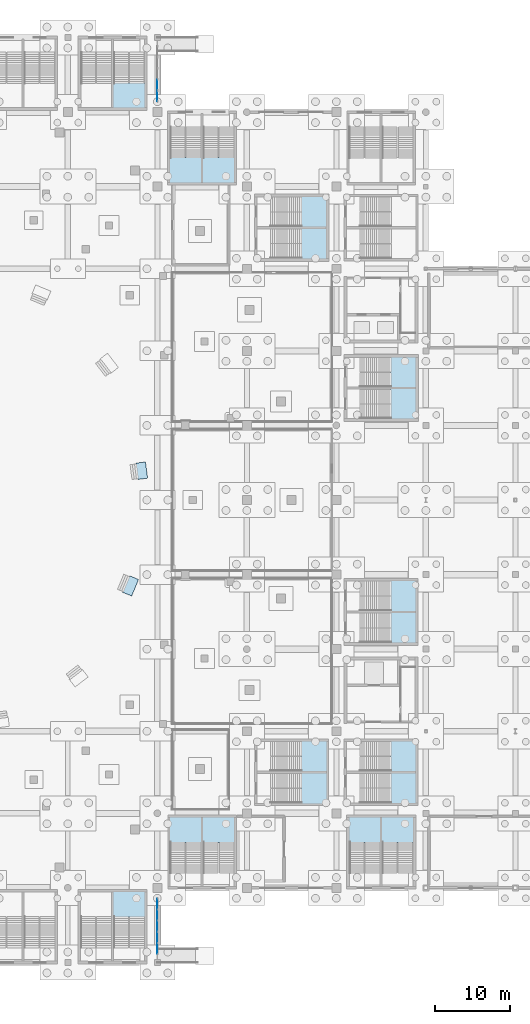
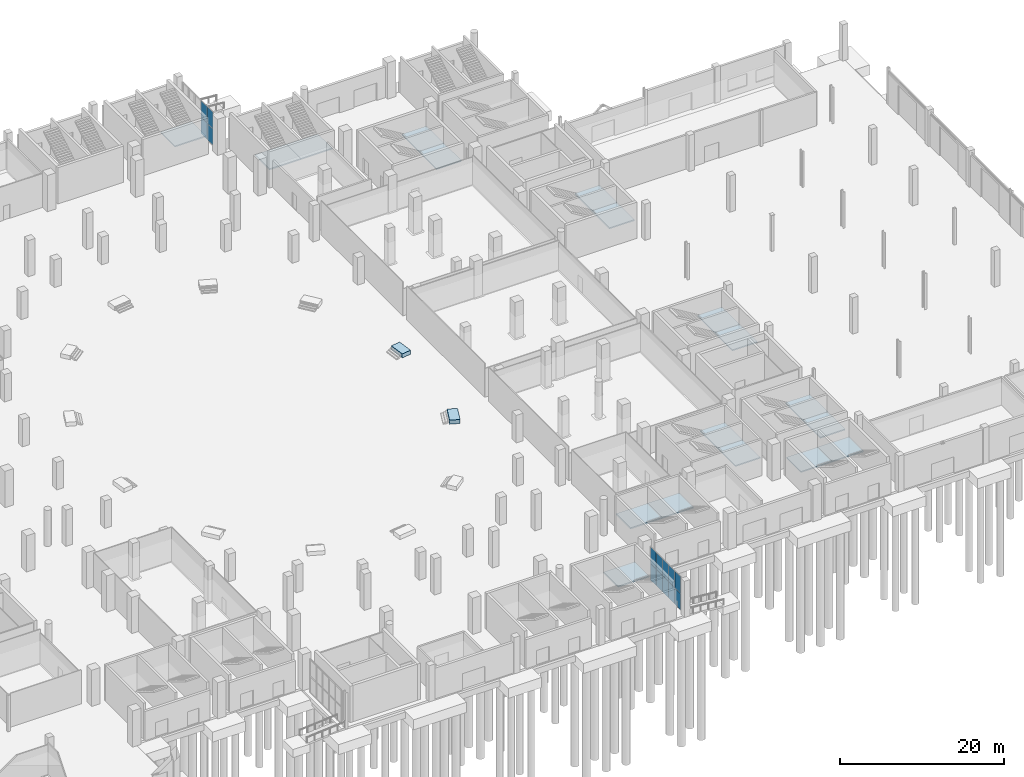
# One storey, part 44 of 70: 20 slabs, 14 plates, 20 elements without a shape of their own.
"""IFC4 building model written with IfcOpenShell, lengths in metres."""

from ifc_helpers import new_model, si_unit, direction, frame, origin, origin_2d, place, context, subcontext, project, spatial, polyline, rectangle, outline, extrude, material, layer, layer_set, type_object, element, aggregate, save


model = new_model("IFC4")

# Units and contexts
model_context = context("Model", 3, precision=1e-05, world=origin(), true_north=direction((0.0, 1.0)))
body_context = subcontext(model_context, "Body", "Model", "MODEL_VIEW")
ifc_project = project(units=[si_unit("LENGTHUNIT", "METRE"), si_unit("AREAUNIT", "SQUARE_METRE"), si_unit("VOLUMEUNIT", "CUBIC_METRE"), si_unit("PLANEANGLEUNIT", "RADIAN"), si_unit("MASSUNIT", "GRAM", prefix="KILO")], contexts=[model_context])

# Site, building, storey
site_placement = place(None, origin())
site = spatial("IfcSite", under=ifc_project, at=site_placement, CompositionType="ELEMENT")
building_placement = place(site_placement, origin())
building = spatial("IfcBuilding", under=site, at=building_placement, Name="Brinegate Civic Arena", CompositionType="ELEMENT")
storey_placement = place(building_placement, origin())
storey = spatial("IfcBuildingStorey", under=building, at=storey_placement, Name="L00", CompositionType="ELEMENT", Elevation=0.0)

# Curtain wall, plates
ifc_material_1 = material(Name="Marine grade aluminium", Category="aluminium")
ifc_layer_1 = layer(ifc_material_1, 0.25, Name="Marine grade aluminium")
ifc_layer_set_1 = layer_set([ifc_layer_1], Name="Marine grade aluminium")
curtain_wall_type = type_object("IfcCurtainWallType", Name="CW-PORTAL-SOUTH-02", PredefinedType="USERDEFINED", material=ifc_layer_set_1)
curtain_wall_1_placement = place(storey_placement, origin())
curtain_wall_1 = element("IfcCurtainWall", 1, at=curtain_wall_1_placement, inside=storey, type_object=curtain_wall_type, Name="Curtain Wall CWA-009", ObjectType="PORTAL CURTAIN WALL", PredefinedType="USERDEFINED")
ifc_material_2 = material(Name="Hurricane laminated low-E glass", Category="glass")
ifc_layer_2 = layer(ifc_material_2, 0.031982421875, Name="Hurricane laminated low-E glass")
ifc_layer_set_2 = layer_set([ifc_layer_2], Name="Hurricane laminated low-E glass")
plate_type_1 = type_object("IfcPlateType", Name="CW-PANEL-GLAZED-32", PredefinedType="CURTAIN_PANEL", material=ifc_layer_set_2)
plate_1_placement = place(storey_placement, frame((132.0, 1.880859375, 0.06494140625), z_axis=(0.0, 0.0, 1.0), x_axis=(0.0, 1.0, 0.0)))
plate_1 = element("IfcPlate", 2, at=plate_1_placement, type_object=plate_type_1, Name="CWA-009 panel 1.1", PredefinedType="CURTAIN_PANEL", context=body_context, shape_type="SweptSolid", body=[
    extrude(rectangle(XDim=1.3994140625, YDim=0.031982421875, at=origin_2d()), origin(), (0.0, 0.0, 1.0), 2.4326171875),
])
plate_2_placement = place(storey_placement, frame((132.0, 1.880859375, 2.5625), z_axis=(0.0, 0.0, 1.0), x_axis=(0.0, 1.0, 0.0)))
plate_2 = element("IfcPlate", 3, at=plate_2_placement, type_object=plate_type_1, Name="CWA-009 panel 1.2", PredefinedType="CURTAIN_PANEL", context=body_context, shape_type="SweptSolid", body=[
    extrude(rectangle(XDim=1.3994140625, YDim=0.031982421875, at=origin_2d()), origin(), (0.0, 0.0, 1.0), 2.4326171875),
])
plate_3_placement = place(storey_placement, frame((132.0, 3.361572265625, 0.06494140625), z_axis=(0.0, 0.0, 1.0), x_axis=(0.0, 1.0, 0.0)))
plate_3 = element("IfcPlate", 4, at=plate_3_placement, type_object=plate_type_1, Name="CWA-009 panel 2.1", PredefinedType="CURTAIN_PANEL", context=body_context, shape_type="SweptSolid", body=[
    extrude(rectangle(XDim=1.431884765625, YDim=0.031982421875, at=origin_2d()), origin(), (0.0, 0.0, 1.0), 2.4326171875),
])
plate_4_placement = place(storey_placement, frame((132.0, 3.361572265625, 2.5625), z_axis=(0.0, 0.0, 1.0), x_axis=(0.0, 1.0, 0.0)))
plate_4 = element("IfcPlate", 5, at=plate_4_placement, type_object=plate_type_1, Name="CWA-009 panel 2.2", PredefinedType="CURTAIN_PANEL", context=body_context, shape_type="SweptSolid", body=[
    extrude(rectangle(XDim=1.431884765625, YDim=0.031982421875, at=origin_2d()), origin(), (0.0, 0.0, 1.0), 2.4326171875),
])
plate_5_placement = place(storey_placement, frame((132.0, 4.8583984375, 0.06494140625), z_axis=(0.0, 0.0, 1.0), x_axis=(0.0, 1.0, 0.0)))
plate_5 = element("IfcPlate", 6, at=plate_5_placement, type_object=plate_type_1, Name="CWA-009 panel 3.1", PredefinedType="CURTAIN_PANEL", context=body_context, shape_type="SweptSolid", body=[
    extrude(rectangle(XDim=1.431884765625, YDim=0.031982421875, at=origin_2d()), origin(), (0.0, 0.0, 1.0), 2.4326171875),
])
plate_6_placement = place(storey_placement, frame((132.0, 4.8583984375, 2.5625), z_axis=(0.0, 0.0, 1.0), x_axis=(0.0, 1.0, 0.0)))
plate_6 = element("IfcPlate", 7, at=plate_6_placement, type_object=plate_type_1, Name="CWA-009 panel 3.2", PredefinedType="CURTAIN_PANEL", context=body_context, shape_type="SweptSolid", body=[
    extrude(rectangle(XDim=1.431884765625, YDim=0.031982421875, at=origin_2d()), origin(), (0.0, 0.0, 1.0), 2.4326171875),
])
plate_7_placement = place(storey_placement, frame((132.0, 6.35546875, 0.06494140625), z_axis=(0.0, 0.0, 1.0), x_axis=(0.0, 1.0, 0.0)))
plate_7 = element("IfcPlate", 8, at=plate_7_placement, type_object=plate_type_1, Name="CWA-009 panel 4.1", PredefinedType="CURTAIN_PANEL", context=body_context, shape_type="SweptSolid", body=[
    extrude(rectangle(XDim=1.431884765625, YDim=0.031982421875, at=origin_2d()), origin(), (0.0, 0.0, 1.0), 2.4326171875),
])
plate_8_placement = place(storey_placement, frame((132.0, 6.35546875, 2.5625), z_axis=(0.0, 0.0, 1.0), x_axis=(0.0, 1.0, 0.0)))
plate_8 = element("IfcPlate", 9, at=plate_8_placement, type_object=plate_type_1, Name="CWA-009 panel 4.2", PredefinedType="CURTAIN_PANEL", context=body_context, shape_type="SweptSolid", body=[
    extrude(rectangle(XDim=1.431884765625, YDim=0.031982421875, at=origin_2d()), origin(), (0.0, 0.0, 1.0), 2.4326171875),
])
plate_9_placement = place(storey_placement, frame((132.0, 7.836181640625, 0.06494140625), z_axis=(0.0, 0.0, 1.0), x_axis=(0.0, 1.0, 0.0)))
plate_9 = element("IfcPlate", 10, at=plate_9_placement, type_object=plate_type_1, Name="CWA-009 panel 5.1", PredefinedType="CURTAIN_PANEL", context=body_context, shape_type="SweptSolid", body=[
    extrude(rectangle(XDim=1.3994140625, YDim=0.031982421875, at=origin_2d()), origin(), (0.0, 0.0, 1.0), 2.4326171875),
])
plate_10_placement = place(storey_placement, frame((132.0, 7.836181640625, 2.5625), z_axis=(0.0, 0.0, 1.0), x_axis=(0.0, 1.0, 0.0)))
plate_10 = element("IfcPlate", 11, at=plate_10_placement, type_object=plate_type_1, Name="CWA-009 panel 5.2", PredefinedType="CURTAIN_PANEL", context=body_context, shape_type="SweptSolid", body=[
    extrude(rectangle(XDim=1.3994140625, YDim=0.031982421875, at=origin_2d()), origin(), (0.0, 0.0, 1.0), 2.4326171875),
])
aggregate(curtain_wall_1, [plate_1, plate_2, plate_3, plate_4, plate_5, plate_6, plate_7, plate_8, plate_9, plate_10])

curtain_wall_2_placement = place(storey_placement, origin())
curtain_wall_2 = element("IfcCurtainWall", 12, at=curtain_wall_2_placement, inside=storey, type_object=curtain_wall_type, Name="Curtain Wall CWA-011", ObjectType="PORTAL CURTAIN WALL", PredefinedType="USERDEFINED")
ifc_layer_3 = layer(ifc_material_2, 0.0419921875, Name="Hurricane laminated low-E glass")
ifc_layer_set_3 = layer_set([ifc_layer_3], Name="Hurricane laminated low-E glass")
plate_type_2 = type_object("IfcPlateType", Name="CW-PANEL-SPANDREL-42", PredefinedType="CURTAIN_PANEL", material=ifc_layer_set_3)
plate_11_placement = place(storey_placement, frame((132.0, 116.16748046875, 0.074951171875), z_axis=(0.0, 0.0, 1.0), x_axis=(0.0, 1.0, 0.0)))
plate_11 = element("IfcPlate", 13, at=plate_11_placement, type_object=plate_type_2, Name="CWA-011 panel 1.1", PredefinedType="CURTAIN_PANEL", context=body_context, shape_type="SweptSolid", body=[
    extrude(rectangle(XDim=1.376953125, YDim=0.0419921875, at=origin_2d()), origin(), (0.0, 0.0, 1.0), 2.41748046875),
])
plate_12_placement = place(storey_placement, frame((132.0, 116.16748046875, 2.567626953125), z_axis=(0.0, 0.0, 1.0), x_axis=(0.0, 1.0, 0.0)))
plate_12 = element("IfcPlate", 14, at=plate_12_placement, type_object=plate_type_2, Name="CWA-011 panel 1.2", PredefinedType="CURTAIN_PANEL", context=body_context, shape_type="SweptSolid", body=[
    extrude(rectangle(XDim=1.376953125, YDim=0.0419921875, at=origin_2d()), origin(), (0.0, 0.0, 1.0), 2.41748046875),
])
plate_13_placement = place(storey_placement, frame((132.0, 117.64453125, 0.074951171875), z_axis=(0.0, 0.0, 1.0), x_axis=(0.0, 1.0, 0.0)))
plate_13 = element("IfcPlate", 15, at=plate_13_placement, type_object=plate_type_2, Name="CWA-011 panel 2.1", PredefinedType="CURTAIN_PANEL", context=body_context, shape_type="SweptSolid", body=[
    extrude(rectangle(XDim=1.4169921875, YDim=0.0419921875, at=origin_2d()), origin(), (0.0, 0.0, 1.0), 2.41748046875),
])
plate_14_placement = place(storey_placement, frame((132.0, 117.64453125, 2.567626953125), z_axis=(0.0, 0.0, 1.0), x_axis=(0.0, 1.0, 0.0)))
plate_14 = element("IfcPlate", 16, at=plate_14_placement, type_object=plate_type_2, Name="CWA-011 panel 2.2", PredefinedType="CURTAIN_PANEL", context=body_context, shape_type="SweptSolid", body=[
    extrude(rectangle(XDim=1.4169921875, YDim=0.0419921875, at=origin_2d()), origin(), (0.0, 0.0, 1.0), 2.41748046875),
])
aggregate(curtain_wall_2, [plate_11, plate_12, plate_13, plate_14])

# Stair, slab
ifc_material_3 = material(Name="Concrete C40/50", Category="concrete")
stair_type_1 = type_object("IfcStairType", Name="STAIR-EXIT-3700", PredefinedType="HALF_TURN_STAIR", material=ifc_material_3)
stair_1_placement = place(storey_placement, origin())
stair_1 = element("IfcStair", 17, at=stair_1_placement, inside=storey, type_object=stair_type_1, Name="Protected Exit Stair ST-03B (L00)", PredefinedType="HALF_TURN_STAIR")
ifc_layer_4 = layer(ifc_material_3, 0.179931640625, Name="Concrete C40/50")
ifc_layer_set_4 = layer_set([ifc_layer_4], Name="Concrete C40/50")
slab_type_1 = type_object("IfcSlabType", Name="SLAB-LANDING-180", PredefinedType="LANDING", material=ifc_layer_set_4)
slab_1_placement = place(storey_placement, frame((0.0, 0.0, 2.52001953125)))
slab_1 = element("IfcSlab", 18, at=slab_1_placement, type_object=slab_type_1, Name="ST-03B landing 1", PredefinedType="LANDING", context=body_context, shape_type="SweptSolid", body=[
    extrude(outline(polyline([(125.9951171875, 114.39990234375), (130.405029296875, 114.39990234375), (130.405029296875, 117.909912109375), (125.9951171875, 117.909912109375), (125.9951171875, 114.39990234375)])), origin(), (0.0, 0.0, 1.0), 0.179931640625),
])
aggregate(stair_1, [slab_1])

stair_2_placement = place(storey_placement, origin())
stair_2 = element("IfcStair", 19, at=stair_2_placement, inside=storey, type_object=stair_type_1, Name="Protected Exit Stair ST-04B (L00)", PredefinedType="HALF_TURN_STAIR")
slab_2_placement = place(storey_placement, frame((0.0, 0.0, 2.52001953125)))
slab_2 = element("IfcSlab", 20, at=slab_2_placement, type_object=slab_type_1, Name="ST-04B landing 1", PredefinedType="LANDING", context=body_context, shape_type="SweptSolid", body=[
    extrude(outline(polyline([(125.9951171875, 6.090087890625), (130.425048828125, 6.090087890625), (130.425048828125, 9.60009765625), (125.9951171875, 9.60009765625), (125.9951171875, 6.090087890625)])), origin(), (0.0, 0.0, 1.0), 0.179931640625),
])
aggregate(stair_2, [slab_2])

stair_type_2 = type_object("IfcStairType", Name="STAIR-EXIT-3850", PredefinedType="HALF_TURN_STAIR", material=ifc_material_3)
stair_3_placement = place(storey_placement, origin())
stair_3 = element("IfcStair", 21, at=stair_3_placement, inside=storey, type_object=stair_type_2, Name="Protected Exit Stair ST-06A (L00)", PredefinedType="HALF_TURN_STAIR")
slab_3_placement = place(storey_placement, frame((0.0, 0.0, 2.52001953125)))
slab_3 = element("IfcSlab", 22, at=slab_3_placement, type_object=slab_type_1, Name="ST-06A landing 1", PredefinedType="LANDING", context=body_context, shape_type="SweptSolid", body=[
    extrude(outline(polyline([(157.594970703125, 16.090087890625), (162.0048828125, 16.090087890625), (162.0048828125, 19.60009765625), (157.594970703125, 19.60009765625), (157.594970703125, 16.090087890625)])), origin(), (0.0, 0.0, 1.0), 0.179931640625),
])
aggregate(stair_3, [slab_3])

stair_4_placement = place(storey_placement, origin())
stair_4 = element("IfcStair", 23, at=stair_4_placement, inside=storey, type_object=stair_type_1, Name="Protected Exit Stair ST-06B (L00)", PredefinedType="HALF_TURN_STAIR")
slab_4_placement = place(storey_placement, frame((0.0, 0.0, 2.52001953125)))
slab_4 = element("IfcSlab", 24, at=slab_4_placement, type_object=slab_type_1, Name="ST-06B landing 1", PredefinedType="LANDING", context=body_context, shape_type="SweptSolid", body=[
    extrude(outline(polyline([(161.9951171875, 16.090087890625), (166.405029296875, 16.090087890625), (166.405029296875, 19.60009765625), (161.9951171875, 19.60009765625), (161.9951171875, 16.090087890625)])), origin(), (0.0, 0.0, 1.0), 0.179931640625),
])
aggregate(stair_4, [slab_4])

stair_5_placement = place(storey_placement, origin())
stair_5 = element("IfcStair", 25, at=stair_5_placement, inside=storey, type_object=stair_type_2, Name="Protected Exit Stair ST-09A (L00)", PredefinedType="HALF_TURN_STAIR")
slab_5_placement = place(storey_placement, frame((0.0, 0.0, 2.52001953125)))
slab_5 = element("IfcSlab", 26, at=slab_5_placement, type_object=slab_type_1, Name="ST-09A landing 1", PredefinedType="LANDING", context=body_context, shape_type="SweptSolid", body=[
    extrude(outline(polyline([(163.2900390625, 72.7451171875), (166.800048828125, 72.7451171875), (166.800048828125, 77.0048828125), (163.2900390625, 77.0048828125), (163.2900390625, 72.7451171875)])), origin(), (0.0, 0.0, 1.0), 0.179931640625),
])
aggregate(stair_5, [slab_5])

stair_6_placement = place(storey_placement, origin())
stair_6 = element("IfcStair", 27, at=stair_6_placement, inside=storey, type_object=stair_type_1, Name="Protected Exit Stair ST-09B (L00)", PredefinedType="HALF_TURN_STAIR")
slab_6_placement = place(storey_placement, frame((0.0, 0.0, 2.52001953125)))
slab_6 = element("IfcSlab", 28, at=slab_6_placement, type_object=slab_type_1, Name="ST-09B landing 1", PredefinedType="LANDING", context=body_context, shape_type="SweptSolid", body=[
    extrude(outline(polyline([(163.2900390625, 76.9951171875), (166.800048828125, 76.9951171875), (166.800048828125, 81.2548828125), (163.2900390625, 81.2548828125), (163.2900390625, 76.9951171875)])), origin(), (0.0, 0.0, 1.0), 0.179931640625),
])
aggregate(stair_6, [slab_6])

stair_7_placement = place(storey_placement, origin())
stair_7 = element("IfcStair", 29, at=stair_7_placement, inside=storey, type_object=stair_type_2, Name="Protected Exit Stair ST-10A (L00)", PredefinedType="HALF_TURN_STAIR")
slab_7_placement = place(storey_placement, frame((0.0, 0.0, 2.52001953125)))
slab_7 = element("IfcSlab", 30, at=slab_7_placement, type_object=slab_type_1, Name="ST-10A landing 1", PredefinedType="LANDING", context=body_context, shape_type="SweptSolid", body=[
    extrude(outline(polyline([(163.2900390625, 42.72509765625), (166.800048828125, 42.72509765625), (166.800048828125, 47.0048828125), (163.2900390625, 47.0048828125), (163.2900390625, 42.72509765625)])), origin(), (0.0, 0.0, 1.0), 0.179931640625),
])
aggregate(stair_7, [slab_7])

stair_8_placement = place(storey_placement, origin())
stair_8 = element("IfcStair", 31, at=stair_8_placement, inside=storey, type_object=stair_type_1, Name="Protected Exit Stair ST-10B (L00)", PredefinedType="HALF_TURN_STAIR")
slab_8_placement = place(storey_placement, frame((0.0, 0.0, 2.52001953125)))
slab_8 = element("IfcSlab", 32, at=slab_8_placement, type_object=slab_type_1, Name="ST-10B landing 1", PredefinedType="LANDING", context=body_context, shape_type="SweptSolid", body=[
    extrude(outline(polyline([(163.2900390625, 46.9951171875), (166.800048828125, 46.9951171875), (166.800048828125, 51.27490234375), (163.2900390625, 51.27490234375), (163.2900390625, 46.9951171875)])), origin(), (0.0, 0.0, 1.0), 0.179931640625),
])
aggregate(stair_8, [slab_8])

stair_9_placement = place(storey_placement, origin())
stair_9 = element("IfcStair", 33, at=stair_9_placement, inside=storey, type_object=stair_type_2, Name="Protected Exit Stair ST-13A (L00)", PredefinedType="HALF_TURN_STAIR")
slab_9_placement = place(storey_placement, frame((0.0, 0.0, 2.52001953125)))
slab_9 = element("IfcSlab", 34, at=slab_9_placement, type_object=slab_type_1, Name="ST-13A landing 1", PredefinedType="LANDING", context=body_context, shape_type="SweptSolid", body=[
    extrude(outline(polyline([(133.574951171875, 104.39990234375), (138.0048828125, 104.39990234375), (138.0048828125, 107.909912109375), (133.574951171875, 107.909912109375), (133.574951171875, 104.39990234375)])), origin(), (0.0, 0.0, 1.0), 0.179931640625),
])
aggregate(stair_9, [slab_9])

stair_10_placement = place(storey_placement, origin())
stair_10 = element("IfcStair", 35, at=stair_10_placement, inside=storey, type_object=stair_type_1, Name="Protected Exit Stair ST-13B (L00)", PredefinedType="HALF_TURN_STAIR")
slab_10_placement = place(storey_placement, frame((0.0, 0.0, 2.52001953125)))
slab_10 = element("IfcSlab", 36, at=slab_10_placement, type_object=slab_type_1, Name="ST-13B landing 1", PredefinedType="LANDING", context=body_context, shape_type="SweptSolid", body=[
    extrude(outline(polyline([(137.9951171875, 104.39990234375), (142.425048828125, 104.39990234375), (142.425048828125, 107.909912109375), (137.9951171875, 107.909912109375), (137.9951171875, 104.39990234375)])), origin(), (0.0, 0.0, 1.0), 0.179931640625),
])
aggregate(stair_10, [slab_10])

stair_11_placement = place(storey_placement, origin())
stair_11 = element("IfcStair", 37, at=stair_11_placement, inside=storey, type_object=stair_type_2, Name="Protected Exit Stair ST-14A (L00)", PredefinedType="HALF_TURN_STAIR")
slab_11_placement = place(storey_placement, frame((0.0, 0.0, 2.52001953125)))
slab_11 = element("IfcSlab", 38, at=slab_11_placement, type_object=slab_type_1, Name="ST-14A landing 1", PredefinedType="LANDING", context=body_context, shape_type="SweptSolid", body=[
    extrude(outline(polyline([(133.544921875, 16.090087890625), (138.0048828125, 16.090087890625), (138.0048828125, 19.60009765625), (133.544921875, 19.60009765625), (133.544921875, 16.090087890625)])), origin(), (0.0, 0.0, 1.0), 0.179931640625),
])
aggregate(stair_11, [slab_11])

stair_12_placement = place(storey_placement, origin())
stair_12 = element("IfcStair", 39, at=stair_12_placement, inside=storey, type_object=stair_type_1, Name="Protected Exit Stair ST-14B (L00)", PredefinedType="HALF_TURN_STAIR")
slab_12_placement = place(storey_placement, frame((0.0, 0.0, 2.52001953125)))
slab_12 = element("IfcSlab", 40, at=slab_12_placement, type_object=slab_type_1, Name="ST-14B landing 1", PredefinedType="LANDING", context=body_context, shape_type="SweptSolid", body=[
    extrude(outline(polyline([(137.9951171875, 16.090087890625), (142.455078125, 16.090087890625), (142.455078125, 19.60009765625), (137.9951171875, 19.60009765625), (137.9951171875, 16.090087890625)])), origin(), (0.0, 0.0, 1.0), 0.179931640625),
])
aggregate(stair_12, [slab_12])

stair_13_placement = place(storey_placement, origin())
stair_13 = element("IfcStair", 41, at=stair_13_placement, inside=storey, type_object=stair_type_2, Name="Protected Exit Stair ST-17A (L00)", PredefinedType="HALF_TURN_STAIR")
slab_13_placement = place(storey_placement, frame((0.0, 0.0, 2.52001953125)))
slab_13 = element("IfcSlab", 42, at=slab_13_placement, type_object=slab_type_1, Name="ST-17A landing 1", PredefinedType="LANDING", context=body_context, shape_type="SweptSolid", body=[
    extrude(outline(polyline([(151.2900390625, 21.195068359375), (154.800048828125, 21.195068359375), (154.800048828125, 25.5048828125), (151.2900390625, 25.5048828125), (151.2900390625, 21.195068359375)])), origin(), (0.0, 0.0, 1.0), 0.179931640625),
])
aggregate(stair_13, [slab_13])

stair_14_placement = place(storey_placement, origin())
stair_14 = element("IfcStair", 43, at=stair_14_placement, inside=storey, type_object=stair_type_1, Name="Protected Exit Stair ST-17B (L00)", PredefinedType="HALF_TURN_STAIR")
slab_14_placement = place(storey_placement, frame((0.0, 0.0, 2.52001953125)))
slab_14 = element("IfcSlab", 44, at=slab_14_placement, type_object=slab_type_1, Name="ST-17B landing 1", PredefinedType="LANDING", context=body_context, shape_type="SweptSolid", body=[
    extrude(outline(polyline([(151.2900390625, 25.4951171875), (154.800048828125, 25.4951171875), (154.800048828125, 29.804931640625), (151.2900390625, 29.804931640625), (151.2900390625, 25.4951171875)])), origin(), (0.0, 0.0, 1.0), 0.179931640625),
])
aggregate(stair_14, [slab_14])

stair_15_placement = place(storey_placement, origin())
stair_15 = element("IfcStair", 45, at=stair_15_placement, inside=storey, type_object=stair_type_2, Name="Protected Exit Stair ST-18A (L00)", PredefinedType="HALF_TURN_STAIR")
slab_15_placement = place(storey_placement, frame((0.0, 0.0, 2.52001953125)))
slab_15 = element("IfcSlab", 46, at=slab_15_placement, type_object=slab_type_1, Name="ST-18A landing 1", PredefinedType="LANDING", context=body_context, shape_type="SweptSolid", body=[
    extrude(outline(polyline([(151.2900390625, 94.2451171875), (154.800048828125, 94.2451171875), (154.800048828125, 98.5048828125), (151.2900390625, 98.5048828125), (151.2900390625, 94.2451171875)])), origin(), (0.0, 0.0, 1.0), 0.179931640625),
])
aggregate(stair_15, [slab_15])

stair_16_placement = place(storey_placement, origin())
stair_16 = element("IfcStair", 47, at=stair_16_placement, inside=storey, type_object=stair_type_1, Name="Protected Exit Stair ST-18B (L00)", PredefinedType="HALF_TURN_STAIR")
slab_16_placement = place(storey_placement, frame((0.0, 0.0, 2.52001953125)))
slab_16 = element("IfcSlab", 48, at=slab_16_placement, type_object=slab_type_1, Name="ST-18B landing 1", PredefinedType="LANDING", context=body_context, shape_type="SweptSolid", body=[
    extrude(outline(polyline([(151.2900390625, 98.4951171875), (154.800048828125, 98.4951171875), (154.800048828125, 102.7548828125), (151.2900390625, 102.7548828125), (151.2900390625, 98.4951171875)])), origin(), (0.0, 0.0, 1.0), 0.179931640625),
])
aggregate(stair_16, [slab_16])

stair_17_placement = place(storey_placement, origin())
stair_17 = element("IfcStair", 49, at=stair_17_placement, inside=storey, type_object=stair_type_2, Name="Protected Exit Stair ST-19A (L00)", PredefinedType="HALF_TURN_STAIR")
slab_17_placement = place(storey_placement, frame((0.0, 0.0, 2.52001953125)))
slab_17 = element("IfcSlab", 50, at=slab_17_placement, type_object=slab_type_1, Name="ST-19A landing 1", PredefinedType="LANDING", context=body_context, shape_type="SweptSolid", body=[
    extrude(outline(polyline([(163.2900390625, 21.22509765625), (166.800048828125, 21.22509765625), (166.800048828125, 25.5048828125), (163.2900390625, 25.5048828125), (163.2900390625, 21.22509765625)])), origin(), (0.0, 0.0, 1.0), 0.179931640625),
])
aggregate(stair_17, [slab_17])

stair_18_placement = place(storey_placement, origin())
stair_18 = element("IfcStair", 51, at=stair_18_placement, inside=storey, type_object=stair_type_1, Name="Protected Exit Stair ST-19B (L00)", PredefinedType="HALF_TURN_STAIR")
slab_18_placement = place(storey_placement, frame((0.0, 0.0, 2.52001953125)))
slab_18 = element("IfcSlab", 52, at=slab_18_placement, type_object=slab_type_1, Name="ST-19B landing 1", PredefinedType="LANDING", context=body_context, shape_type="SweptSolid", body=[
    extrude(outline(polyline([(163.2900390625, 25.4951171875), (166.800048828125, 25.4951171875), (166.800048828125, 29.77490234375), (163.2900390625, 29.77490234375), (163.2900390625, 25.4951171875)])), origin(), (0.0, 0.0, 1.0), 0.179931640625),
])
aggregate(stair_18, [slab_18])

# Slabs
ifc_layer_5 = layer(ifc_material_3, 0.60009765625, Name="Concrete C40/50")
ifc_layer_set_5 = layer_set([ifc_layer_5], Name="Concrete C40/50")
slab_type_2 = type_object("IfcSlabType", Name="SLAB-LANDING-600", PredefinedType="LANDING", material=ifc_layer_set_5)
slab_19_placement = place(storey_placement, origin())
element("IfcSlab", 53, at=slab_19_placement, inside=storey, type_object=slab_type_2, Name="Vomitory Arrival Landing VS-01", PredefinedType="LANDING", context=body_context, shape_type="SweptSolid", body=[
    extrude(outline(polyline([(129.409912109375, 64.75390625), (130.698974609375, 64.923095703125), (130.412109375, 67.10400390625), (129.123046875, 66.93505859375), (129.409912109375, 64.75390625)])), origin(), (0.0, 0.0, 1.0), 0.60009765625),
])
slab_20_placement = place(storey_placement, origin())
element("IfcSlab", 54, at=slab_20_placement, inside=storey, type_object=slab_type_2, Name="Vomitory Arrival Landing VS-12", PredefinedType="LANDING", context=body_context, shape_type="SweptSolid", body=[
    extrude(outline(polyline([(127.35791015625, 49.6220703125), (128.55908203125, 49.125), (129.47802734375, 51.342041015625), (128.277099609375, 51.839111328125), (127.35791015625, 49.6220703125)])), origin(), (0.0, 0.0, 1.0), 0.60009765625),
])

save(model, "model.ifc")
